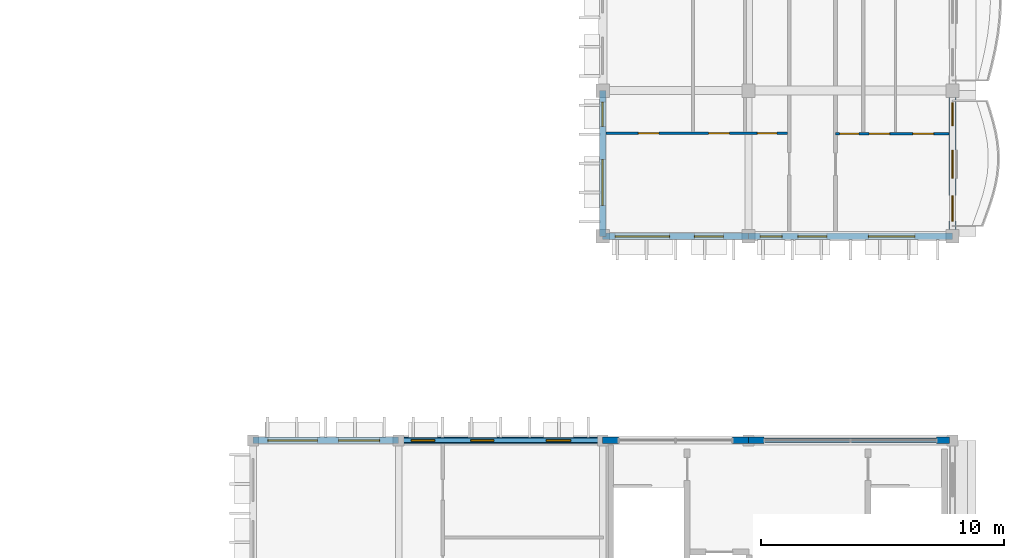
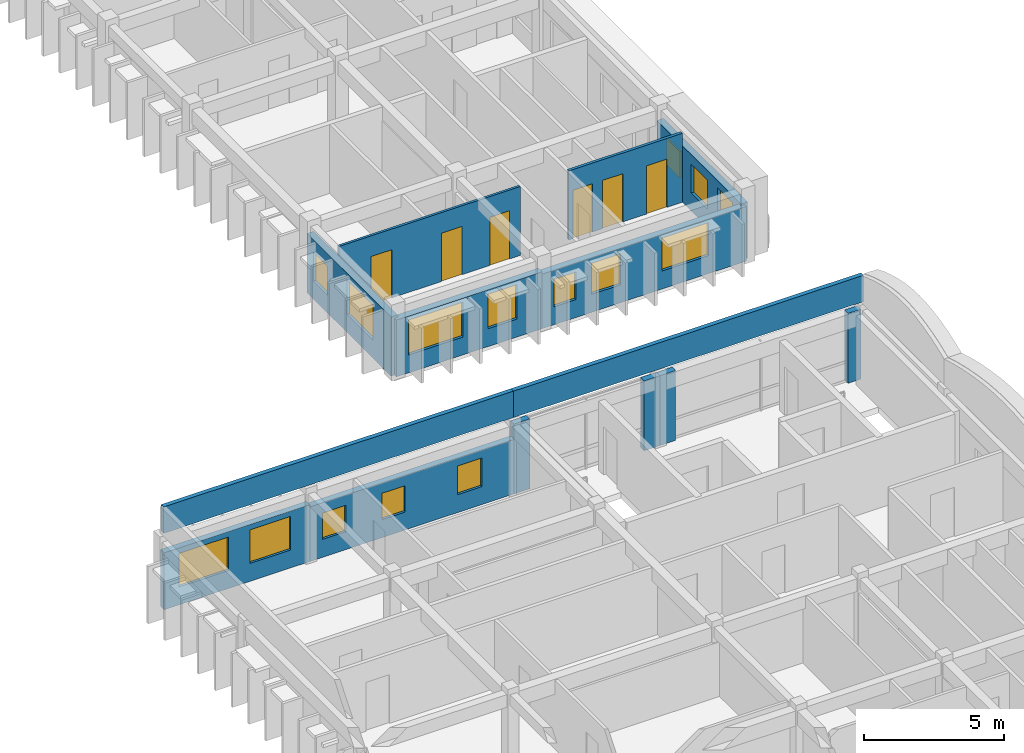
# One storey, part 30 of 59: 14 walls, 14 windows, 7 doors, 21 openings.
"""IFC4 building model written with IfcOpenShell, lengths in metres."""

from ifc_helpers import new_model, si_unit, direction, frame, frame_2d, origin, place, context, subcontext, project, spatial, rectangle, extrude, material, layer, layer_set, type_object, element, fill, save


model = new_model("IFC4")

# Units and contexts
model_context = context("Model", 3, precision=1e-05, world=origin(), true_north=direction((0.0, 1.0)))
body_context = subcontext(model_context, "Body", "Model", "MODEL_VIEW")
ifc_project = project(units=[si_unit("LENGTHUNIT", "METRE"), si_unit("AREAUNIT", "SQUARE_METRE"), si_unit("VOLUMEUNIT", "CUBIC_METRE"), si_unit("PLANEANGLEUNIT", "RADIAN"), si_unit("MASSUNIT", "GRAM", prefix="KILO"), si_unit("THERMODYNAMICTEMPERATUREUNIT", "KELVIN")], contexts=[model_context])

# Site, building, storey
site_placement = place(None, origin())
site = spatial("IfcSite", under=ifc_project, at=site_placement, CompositionType="ELEMENT")
building_placement = place(site_placement, origin())
building = spatial("IfcBuilding", under=site, at=building_placement, Name="Thalorik Housing Commons", CompositionType="ELEMENT")
storey_placement = place(building_placement, frame((0.0, 0.0, 27.89990234375)))
storey = spatial("IfcBuildingStorey", under=building, at=storey_placement, Name="L08", CompositionType="ELEMENT", Elevation=27.89990234375)

# Wall, openings, windows
ifc_material_1 = material(Name="White precast concrete C40/50", Category="concrete")
ifc_layer_1 = layer(ifc_material_1, 0.2548828125, Name="White precast concrete C40/50", Category="concrete")
ifc_layer_set_1 = layer_set([ifc_layer_1], Name="White precast concrete C40/50")
wall_type_1 = type_object("IfcWallType", Name="ARC-WAL-EXT-255", PredefinedType="STANDARD", material=ifc_layer_set_1)
wall_1_placement = place(storey_placement, frame((152.39990234375, 72.0, 0.0), z_axis=(0.0, 0.0, 1.0), x_axis=(-1.0, 0.0, 0.0)))
wall_1 = element("IfcWall", 1, at=wall_1_placement, inside=storey, type_object=wall_type_1, Name="L08 Exterior Wall WAL-EXT-L08-D-1261", PredefinedType="STANDARD", context=body_context, shape_type="SweptSolid", body=[
    extrude(rectangle(XDim=8.39990234375, YDim=0.2548828125, at=frame_2d((4.199951171875, 0.0))), origin(), (0.0, 0.0, 1.0), 2.375),
])
opening_1_placement = place(wall_1_placement, frame((1.324951171875, 0.0, 0.780029296875)))
opening_1 = element("IfcOpeningElement", 2, at=opening_1_placement, cuts=wall_1, Name="Opening W-02", PredefinedType="OPENING", context=body_context, shape_type="SweptSolid", body=[
    extrude(rectangle(XDim=1.0, YDim=1.25, at=frame_2d((0.5, 0.625))), frame((0.0, 0.137451171875, 0.0), z_axis=(0.0, -1.0, 0.0), x_axis=(1.0, 0.0, 0.0)), (0.0, 0.0, 1.0), 0.27490234375),
])
opening_2_placement = place(wall_1_placement, frame((4.479736328125, 0.0, 0.780029296875)))
opening_2 = element("IfcOpeningElement", 3, at=opening_2_placement, cuts=wall_1, Name="Opening W-43", PredefinedType="OPENING", context=body_context, shape_type="SweptSolid", body=[
    extrude(rectangle(XDim=0.949951171875, YDim=1.14990234375, at=frame_2d((0.47509765625, 0.574951171875))), frame((0.0, 0.137451171875, 0.0), z_axis=(0.0, -1.0, 0.0), x_axis=(1.0, 0.0, 0.0)), (0.0, 0.0, 1.0), 0.27490234375),
])
opening_3_placement = place(wall_1_placement, frame((6.9248046875, 0.0, 0.780029296875)))
opening_3 = element("IfcOpeningElement", 4, at=opening_3_placement, cuts=wall_1, Name="Opening W-43", PredefinedType="OPENING", context=body_context, shape_type="SweptSolid", body=[
    extrude(rectangle(XDim=0.949951171875, YDim=1.14990234375, at=frame_2d((0.47509765625, 0.574951171875))), frame((0.0, 0.137451171875, 0.0), z_axis=(0.0, -1.0, 0.0), x_axis=(1.0, 0.0, 0.0)), (0.0, 0.0, 1.0), 0.27490234375),
])
ifc_material_2 = material(Name="Anodised aluminium and solar-control low-E glass", Category="aluminium")
window_type_1 = type_object("IfcWindowType", Name="ARC-WIN-02", PartitioningType="SINGLE_PANEL", PredefinedType="WINDOW", material=ifc_material_2)
window_1_placement = place(opening_1_placement, origin())
window_1 = element("IfcWindow", 5, at=window_1_placement, inside=storey, type_object=window_type_1, Name="L08 Facade Window 2295", OverallHeight=1.25, OverallWidth=1.0, PartitioningType="SINGLE_PANEL", PredefinedType="WINDOW", context=body_context, shape_type="SweptSolid", body=[
    extrude(rectangle(XDim=1.0, YDim=1.25, at=frame_2d((0.5, 0.625))), frame((0.0, 0.030029296875, 0.0), z_axis=(0.0, -1.0, 0.0), x_axis=(1.0, 0.0, 0.0)), (0.0, 0.0, 1.0), 0.06005859375),
])
fill(opening_1, window_1)
window_type_2 = type_object("IfcWindowType", Name="ARC-WIN-43", PartitioningType="SINGLE_PANEL", PredefinedType="WINDOW", material=ifc_material_2)
window_2_placement = place(opening_2_placement, origin())
window_2 = element("IfcWindow", 6, at=window_2_placement, inside=storey, type_object=window_type_2, Name="L08 Facade Window 2296", OverallHeight=1.14990234375, OverallWidth=0.949951171875, PartitioningType="SINGLE_PANEL", PredefinedType="WINDOW", context=body_context, shape_type="SweptSolid", body=[
    extrude(rectangle(XDim=0.949951171875, YDim=1.14990234375, at=frame_2d((0.47509765625, 0.574951171875))), frame((0.0, 0.030029296875, 0.0), z_axis=(0.0, -1.0, 0.0), x_axis=(1.0, 0.0, 0.0)), (0.0, 0.0, 1.0), 0.06005859375),
])
fill(opening_2, window_2)
window_3_placement = place(opening_3_placement, origin())
window_3 = element("IfcWindow", 7, at=window_3_placement, inside=storey, type_object=window_type_2, Name="L08 Facade Window 2297", OverallHeight=1.14990234375, OverallWidth=0.949951171875, PartitioningType="SINGLE_PANEL", PredefinedType="WINDOW", context=body_context, shape_type="SweptSolid", body=[
    extrude(rectangle(XDim=0.949951171875, YDim=1.14990234375, at=frame_2d((0.47509765625, 0.574951171875))), frame((0.0, 0.030029296875, 0.0), z_axis=(0.0, -1.0, 0.0), x_axis=(1.0, 0.0, 0.0)), (0.0, 0.0, 1.0), 0.06005859375),
])
fill(opening_3, window_3)

wall_2_placement = place(storey_placement, frame((144.0, 72.0, 0.0), z_axis=(0.0, 0.0, 1.0), x_axis=(-1.0, 0.0, 0.0)))
wall_2 = element("IfcWall", 8, at=wall_2_placement, inside=storey, type_object=wall_type_1, Name="L08 Exterior Wall WAL-EXT-L08-D-1262", PredefinedType="STANDARD", context=body_context, shape_type="SweptSolid", body=[
    extrude(rectangle(XDim=6.0, YDim=0.2548828125, at=frame_2d((3.0, 0.0))), origin(), (0.0, 0.0, 1.0), 2.47509765625),
])
opening_4_placement = place(wall_2_placement, frame((0.7900390625, 0.0, 0.780029296875)))
opening_4 = element("IfcOpeningElement", 9, at=opening_4_placement, cuts=wall_2, Name="Opening W-55", PredefinedType="OPENING", context=body_context, shape_type="SweptSolid", body=[
    extrude(rectangle(XDim=1.679931640625, YDim=1.4599609375, at=frame_2d((0.83984375, 0.72998046875))), frame((0.0, 0.137451171875, 0.0), z_axis=(0.0, -1.0, 0.0), x_axis=(1.0, 0.0, 0.0)), (0.0, 0.0, 1.0), 0.27490234375),
])
opening_5_placement = place(wall_2_placement, frame((3.35009765625, 0.0, 0.780029296875)))
opening_5 = element("IfcOpeningElement", 10, at=opening_5_placement, cuts=wall_2, Name="Opening W-62", PredefinedType="OPENING", context=body_context, shape_type="SweptSolid", body=[
    extrude(rectangle(XDim=2.0400390625, YDim=1.4599609375, at=frame_2d((1.02001953125, 0.72998046875))), frame((0.0, 0.137451171875, 0.0), z_axis=(0.0, -1.0, 0.0), x_axis=(1.0, 0.0, 0.0)), (0.0, 0.0, 1.0), 0.27490234375),
])
window_type_3 = type_object("IfcWindowType", Name="ARC-WIN-55", PartitioningType="DOUBLE_PANEL_VERTICAL", PredefinedType="WINDOW", material=ifc_material_2)
window_4_placement = place(opening_4_placement, origin())
window_4 = element("IfcWindow", 11, at=window_4_placement, inside=storey, type_object=window_type_3, Name="L08 Facade Window 2298", OverallHeight=1.4599609375, OverallWidth=1.679931640625, PartitioningType="DOUBLE_PANEL_VERTICAL", PredefinedType="WINDOW", context=body_context, shape_type="SweptSolid", body=[
    extrude(rectangle(XDim=1.679931640625, YDim=1.4599609375, at=frame_2d((0.83984375, 0.72998046875))), frame((0.0, 0.030029296875, 0.0), z_axis=(0.0, -1.0, 0.0), x_axis=(1.0, 0.0, 0.0)), (0.0, 0.0, 1.0), 0.06005859375),
])
fill(opening_4, window_4)
window_type_4 = type_object("IfcWindowType", Name="ARC-WIN-62", PartitioningType="DOUBLE_PANEL_VERTICAL", PredefinedType="WINDOW", material=ifc_material_2)
window_5_placement = place(opening_5_placement, origin())
window_5 = element("IfcWindow", 12, at=window_5_placement, inside=storey, type_object=window_type_4, Name="L08 Facade Window 2299", OverallHeight=1.4599609375, OverallWidth=2.0400390625, PartitioningType="DOUBLE_PANEL_VERTICAL", PredefinedType="WINDOW", context=body_context, shape_type="SweptSolid", body=[
    extrude(rectangle(XDim=2.0400390625, YDim=1.4599609375, at=frame_2d((1.02001953125, 0.72998046875))), frame((0.0, 0.030029296875, 0.0), z_axis=(0.0, -1.0, 0.0), x_axis=(1.0, 0.0, 0.0)), (0.0, 0.0, 1.0), 0.06005859375),
])
fill(opening_5, window_5)

# Walls
wall_3_placement = place(storey_placement, frame((166.67041015625, 72.0, 0.0), z_axis=(0.0, 0.0, 1.0), x_axis=(-1.0, 0.0, 0.0)))
element("IfcWall", 13, at=wall_3_placement, inside=storey, type_object=wall_type_1, Name="L08 Exterior Wall WAL-PIERL-L08-D-1277", PredefinedType="STANDARD", context=body_context, shape_type="SweptSolid", body=[
    extrude(rectangle(XDim=0.5205078125, YDim=0.2548828125, at=frame_2d((0.26025390625, 0.0))), origin(), (0.0, 0.0, 1.0), 3.0400390625),
])
wall_4_placement = place(storey_placement, frame((159.050048828125, 72.0, 0.0), z_axis=(0.0, 0.0, 1.0), x_axis=(-1.0, 0.0, 0.0)))
element("IfcWall", 14, at=wall_4_placement, inside=storey, type_object=wall_type_1, Name="L08 Exterior Wall WAL-PIERR-L08-D-1277", PredefinedType="STANDARD", context=body_context, shape_type="SweptSolid", body=[
    extrude(rectangle(XDim=0.650146484375, YDim=0.2548828125, at=frame_2d((0.3251953125, 0.0))), origin(), (0.0, 0.0, 1.0), 3.0400390625),
])
wall_5_placement = place(storey_placement, frame((158.39990234375, 72.0, 0.0), z_axis=(0.0, 0.0, 1.0), x_axis=(-1.0, 0.0, 0.0)))
element("IfcWall", 15, at=wall_5_placement, inside=storey, type_object=wall_type_1, Name="L08 Exterior Wall WAL-PIERL-L08-D-1278", PredefinedType="STANDARD", context=body_context, shape_type="SweptSolid", body=[
    extrude(rectangle(XDim=0.64990234375, YDim=0.2548828125, at=frame_2d((0.324951171875, 0.0))), origin(), (0.0, 0.0, 1.0), 3.0400390625),
])
wall_6_placement = place(storey_placement, frame((153.050048828125, 72.0, 0.0), z_axis=(0.0, 0.0, 1.0), x_axis=(-1.0, 0.0, 0.0)))
element("IfcWall", 16, at=wall_6_placement, inside=storey, type_object=wall_type_1, Name="L08 Exterior Wall WAL-PIERR-L08-D-1278", PredefinedType="STANDARD", context=body_context, shape_type="SweptSolid", body=[
    extrude(rectangle(XDim=0.650146484375, YDim=0.2548828125, at=frame_2d((0.3251953125, 0.0))), origin(), (0.0, 0.0, 1.0), 3.0400390625),
])

# Wall, openings, windows
ifc_layer_2 = layer(ifc_material_1, 0.27490234375, Name="White precast concrete C40/50", Category="concrete")
ifc_layer_set_2 = layer_set([ifc_layer_2], Name="White precast concrete C40/50")
wall_type_2 = type_object("IfcWallType", Name="ARC-WAL-EXT-275", PredefinedType="STANDARD", material=ifc_layer_set_2)
wall_7_placement = place(storey_placement, frame((152.39990234375, 86.39990234375, 0.0), z_axis=(0.0, 0.0, 1.0), x_axis=(0.0, -1.0, 0.0)))
wall_7 = element("IfcWall", 17, at=wall_7_placement, inside=storey, type_object=wall_type_2, Name="L08 Exterior Wall WAL-EXT-L08-B-0700", PredefinedType="STANDARD", context=body_context, shape_type="SweptSolid", body=[
    extrude(rectangle(XDim=6.0, YDim=0.27490234375, at=frame_2d((3.0, 0.0))), origin(), (0.0, 0.0, 1.0), 2.5751953125),
])
opening_6_placement = place(wall_7_placement, frame((0.472412109375, 0.0, 0.780029296875)))
opening_6 = element("IfcOpeningElement", 18, at=opening_6_placement, cuts=wall_7, Name="Opening W-02", PredefinedType="OPENING", context=body_context, shape_type="SweptSolid", body=[
    extrude(rectangle(XDim=1.0, YDim=1.25, at=frame_2d((0.5, 0.625))), frame((0.0, 0.1474609375, 0.0), z_axis=(0.0, -1.0, 0.0), x_axis=(1.0, 0.0, 0.0)), (0.0, 0.0, 1.0), 0.294921875),
])
opening_7_placement = place(wall_7_placement, frame((2.842529296875, 0.0, 0.780029296875)))
opening_7 = element("IfcOpeningElement", 19, at=opening_7_placement, cuts=wall_7, Name="Opening W-59", PredefinedType="OPENING", context=body_context, shape_type="SweptSolid", body=[
    extrude(rectangle(XDim=1.8798828125, YDim=1.52001953125, at=frame_2d((0.93994140625, 0.760009765625))), frame((0.0, 0.1474609375, 0.0), z_axis=(0.0, -1.0, 0.0), x_axis=(1.0, 0.0, 0.0)), (0.0, 0.0, 1.0), 0.294921875),
])
window_6_placement = place(opening_6_placement, origin())
window_6 = element("IfcWindow", 20, at=window_6_placement, inside=storey, type_object=window_type_1, Name="L08 Facade Window 1286", OverallHeight=1.25, OverallWidth=1.0, PartitioningType="SINGLE_PANEL", PredefinedType="WINDOW", context=body_context, shape_type="SweptSolid", body=[
    extrude(rectangle(XDim=1.0, YDim=1.25, at=frame_2d((0.5, 0.625))), frame((0.0, 0.030029296875, 0.0), z_axis=(0.0, -1.0, 0.0), x_axis=(1.0, 0.0, 0.0)), (0.0, 0.0, 1.0), 0.06005859375),
])
fill(opening_6, window_6)
window_type_5 = type_object("IfcWindowType", Name="ARC-WIN-59", PartitioningType="DOUBLE_PANEL_VERTICAL", PredefinedType="WINDOW", material=ifc_material_2)
window_7_placement = place(opening_7_placement, origin())
window_7 = element("IfcWindow", 21, at=window_7_placement, inside=storey, type_object=window_type_5, Name="L08 Facade Window 1287", OverallHeight=1.52001953125, OverallWidth=1.8798828125, PartitioningType="DOUBLE_PANEL_VERTICAL", PredefinedType="WINDOW", context=body_context, shape_type="SweptSolid", body=[
    extrude(rectangle(XDim=1.8798828125, YDim=1.52001953125, at=frame_2d((0.93994140625, 0.760009765625))), frame((0.0, 0.030029296875, 0.0), z_axis=(0.0, -1.0, 0.0), x_axis=(1.0, 0.0, 0.0)), (0.0, 0.0, 1.0), 0.06005859375),
])
fill(opening_7, window_7)

wall_8_placement = place(storey_placement, frame((152.39990234375, 80.39990234375, 0.0), z_axis=(0.0, 0.0, 1.0), x_axis=(1.0, 0.0, 0.0)))
wall_8 = element("IfcWall", 22, at=wall_8_placement, inside=storey, type_object=wall_type_2, Name="L08 Exterior Wall WAL-EXT-L08-B-0701", PredefinedType="STANDARD", context=body_context, shape_type="SweptSolid", body=[
    extrude(rectangle(XDim=6.0, YDim=0.27490234375, at=frame_2d((3.0, 0.0))), origin(), (0.0, 0.0, 1.0), 2.47509765625),
])
opening_8_placement = place(wall_8_placement, frame((0.510009765625, 0.0, 0.780029296875)))
opening_8 = element("IfcOpeningElement", 23, at=opening_8_placement, cuts=wall_8, Name="Opening W-66", PredefinedType="OPENING", context=body_context, shape_type="SweptSolid", body=[
    extrude(rectangle(XDim=2.239990234375, YDim=1.52001953125, at=frame_2d((1.1201171875, 0.760009765625))), frame((0.0, 0.1474609375, 0.0), z_axis=(0.0, -1.0, 0.0), x_axis=(1.0, 0.0, 0.0)), (0.0, 0.0, 1.0), 0.294921875),
])
opening_9_placement = place(wall_8_placement, frame((3.77001953125, 0.0, 0.780029296875)))
opening_9 = element("IfcOpeningElement", 24, at=opening_9_placement, cuts=wall_8, Name="Opening W-05", PredefinedType="OPENING", context=body_context, shape_type="SweptSolid", body=[
    extrude(rectangle(XDim=1.199951171875, YDim=1.5, at=frame_2d((0.60009765625, 0.75))), frame((0.0, 0.1474609375, 0.0), z_axis=(0.0, -1.0, 0.0), x_axis=(1.0, 0.0, 0.0)), (0.0, 0.0, 1.0), 0.294921875),
])
window_type_6 = type_object("IfcWindowType", Name="ARC-WIN-05", PartitioningType="SINGLE_PANEL", PredefinedType="WINDOW", material=ifc_material_2)
window_8_placement = place(opening_9_placement, origin())
window_8 = element("IfcWindow", 25, at=window_8_placement, inside=storey, type_object=window_type_6, Name="L08 Facade Window 1289", OverallHeight=1.5, OverallWidth=1.199951171875, PartitioningType="SINGLE_PANEL", PredefinedType="WINDOW", context=body_context, shape_type="SweptSolid", body=[
    extrude(rectangle(XDim=1.199951171875, YDim=1.5, at=frame_2d((0.60009765625, 0.75))), frame((0.0, 0.030029296875, 0.0), z_axis=(0.0, -1.0, 0.0), x_axis=(1.0, 0.0, 0.0)), (0.0, 0.0, 1.0), 0.06005859375),
])
fill(opening_9, window_8)
window_type_7 = type_object("IfcWindowType", Name="ARC-WIN-66", PartitioningType="DOUBLE_PANEL_VERTICAL", PredefinedType="WINDOW", material=ifc_material_2)
window_9_placement = place(opening_8_placement, origin())
window_9 = element("IfcWindow", 26, at=window_9_placement, inside=storey, type_object=window_type_7, Name="L08 Facade Window 1288", OverallHeight=1.52001953125, OverallWidth=2.239990234375, PartitioningType="DOUBLE_PANEL_VERTICAL", PredefinedType="WINDOW", context=body_context, shape_type="SweptSolid", body=[
    extrude(rectangle(XDim=2.239990234375, YDim=1.52001953125, at=frame_2d((1.1201171875, 0.760009765625))), frame((0.0, 0.030029296875, 0.0), z_axis=(0.0, -1.0, 0.0), x_axis=(1.0, 0.0, 0.0)), (0.0, 0.0, 1.0), 0.06005859375),
])
fill(opening_8, window_9)

wall_9_placement = place(storey_placement, frame((158.39990234375, 80.39990234375, 0.0), z_axis=(0.0, 0.0, 1.0), x_axis=(1.0, 0.0, 0.0)))
wall_9 = element("IfcWall", 27, at=wall_9_placement, inside=storey, type_object=wall_type_2, Name="L08 Exterior Wall WAL-EXT-L08-B-0702", PredefinedType="STANDARD", context=body_context, shape_type="SweptSolid", body=[
    extrude(rectangle(XDim=8.400146484375, YDim=0.27490234375, at=frame_2d((4.2001953125, 0.0))), origin(), (0.0, 0.0, 1.0), 2.375),
])
opening_10_placement = place(wall_9_placement, frame((0.485107421875, 0.0, 0.780029296875)))
opening_10 = element("IfcOpeningElement", 28, at=opening_10_placement, cuts=wall_9, Name="Opening W-01", PredefinedType="OPENING", context=body_context, shape_type="SweptSolid", body=[
    extrude(rectangle(XDim=0.89990234375, YDim=1.199951171875, at=frame_2d((0.449951171875, 0.60009765625))), frame((0.0, 0.1474609375, 0.0), z_axis=(0.0, -1.0, 0.0), x_axis=(1.0, 0.0, 0.0)), (0.0, 0.0, 1.0), 0.294921875),
])
opening_11_placement = place(wall_9_placement, frame((2.030029296875, 0.0, 0.780029296875)))
opening_11 = element("IfcOpeningElement", 29, at=opening_11_placement, cuts=wall_9, Name="Opening W-04", PredefinedType="OPENING", context=body_context, shape_type="SweptSolid", body=[
    extrude(rectangle(XDim=1.199951171875, YDim=1.35009765625, at=frame_2d((0.60009765625, 0.675048828125))), frame((0.0, 0.1474609375, 0.0), z_axis=(0.0, -1.0, 0.0), x_axis=(1.0, 0.0, 0.0)), (0.0, 0.0, 1.0), 0.294921875),
])
opening_12_placement = place(wall_9_placement, frame((4.93505859375, 0.0, 0.780029296875)))
opening_12 = element("IfcOpeningElement", 30, at=opening_12_placement, cuts=wall_9, Name="Opening W-60", PredefinedType="OPENING", context=body_context, shape_type="SweptSolid", body=[
    extrude(rectangle(XDim=1.919921875, YDim=1.43994140625, at=frame_2d((0.9599609375, 0.719970703125))), frame((0.0, 0.1474609375, 0.0), z_axis=(0.0, -1.0, 0.0), x_axis=(1.0, 0.0, 0.0)), (0.0, 0.0, 1.0), 0.294921875),
])
window_type_8 = type_object("IfcWindowType", Name="ARC-WIN-01", PartitioningType="SINGLE_PANEL", PredefinedType="WINDOW", material=ifc_material_2)
window_10_placement = place(opening_10_placement, origin())
window_10 = element("IfcWindow", 31, at=window_10_placement, inside=storey, type_object=window_type_8, Name="L08 Facade Window 1290", OverallHeight=1.199951171875, OverallWidth=0.89990234375, PartitioningType="SINGLE_PANEL", PredefinedType="WINDOW", context=body_context, shape_type="SweptSolid", body=[
    extrude(rectangle(XDim=0.89990234375, YDim=1.199951171875, at=frame_2d((0.449951171875, 0.60009765625))), frame((0.0, 0.030029296875, 0.0), z_axis=(0.0, -1.0, 0.0), x_axis=(1.0, 0.0, 0.0)), (0.0, 0.0, 1.0), 0.06005859375),
])
fill(opening_10, window_10)
window_type_9 = type_object("IfcWindowType", Name="ARC-WIN-04", PartitioningType="SINGLE_PANEL", PredefinedType="WINDOW", material=ifc_material_2)
window_11_placement = place(opening_11_placement, origin())
window_11 = element("IfcWindow", 32, at=window_11_placement, inside=storey, type_object=window_type_9, Name="L08 Facade Window 1291", OverallHeight=1.35009765625, OverallWidth=1.199951171875, PartitioningType="SINGLE_PANEL", PredefinedType="WINDOW", context=body_context, shape_type="SweptSolid", body=[
    extrude(rectangle(XDim=1.199951171875, YDim=1.35009765625, at=frame_2d((0.60009765625, 0.675048828125))), frame((0.0, 0.030029296875, 0.0), z_axis=(0.0, -1.0, 0.0), x_axis=(1.0, 0.0, 0.0)), (0.0, 0.0, 1.0), 0.06005859375),
])
fill(opening_11, window_11)
window_type_10 = type_object("IfcWindowType", Name="ARC-WIN-60", PartitioningType="DOUBLE_PANEL_VERTICAL", PredefinedType="WINDOW", material=ifc_material_2)
window_12_placement = place(opening_12_placement, origin())
window_12 = element("IfcWindow", 33, at=window_12_placement, inside=storey, type_object=window_type_10, Name="L08 Facade Window 1292", OverallHeight=1.43994140625, OverallWidth=1.919921875, PartitioningType="DOUBLE_PANEL_VERTICAL", PredefinedType="WINDOW", context=body_context, shape_type="SweptSolid", body=[
    extrude(rectangle(XDim=1.919921875, YDim=1.43994140625, at=frame_2d((0.9599609375, 0.719970703125))), frame((0.0, 0.030029296875, 0.0), z_axis=(0.0, -1.0, 0.0), x_axis=(1.0, 0.0, 0.0)), (0.0, 0.0, 1.0), 0.06005859375),
])
fill(opening_12, window_12)

# Wall, openings, door, windows
wall_10_placement = place(storey_placement, frame((166.800048828125, 80.39990234375, 0.0), z_axis=(0.0, 0.0, 1.0), x_axis=(0.0, 1.0, 0.0)))
wall_10 = element("IfcWall", 34, at=wall_10_placement, inside=storey, type_object=wall_type_2, Name="L08 Exterior Wall WAL-EXT-L08-B-0703", PredefinedType="STANDARD", context=body_context, shape_type="SweptSolid", body=[
    extrude(rectangle(XDim=6.0, YDim=0.27490234375, at=frame_2d((3.0, 0.0))), origin(), (0.0, 0.0, 1.0), 2.445068359375),
])
opening_13_placement = place(wall_10_placement, frame((0.6201171875, 0.0, 0.0)))
opening_13 = element("IfcOpeningElement", 35, at=opening_13_placement, cuts=wall_10, Name="Opening ED-0232", PredefinedType="OPENING", context=body_context, shape_type="SweptSolid", body=[
    extrude(rectangle(XDim=1.050048828125, YDim=2.14990234375, at=frame_2d((0.52490234375, 1.074951171875))), frame((0.0, 0.1474609375, 0.0), z_axis=(0.0, -1.0, 0.0), x_axis=(1.0, 0.0, 0.0)), (0.0, 0.0, 1.0), 0.294921875),
])
opening_14_placement = place(wall_10_placement, frame((2.397705078125, 0.0, 0.780029296875)))
opening_14 = element("IfcOpeningElement", 36, at=opening_14_placement, cuts=wall_10, Name="Opening W-45", PredefinedType="OPENING", context=body_context, shape_type="SweptSolid", body=[
    extrude(rectangle(XDim=1.14990234375, YDim=1.25, at=frame_2d((0.574951171875, 0.625))), frame((0.0, 0.1474609375, 0.0), z_axis=(0.0, -1.0, 0.0), x_axis=(1.0, 0.0, 0.0)), (0.0, 0.0, 1.0), 0.294921875),
])
opening_15_placement = place(wall_10_placement, frame((4.542724609375, 0.0, 0.780029296875)))
opening_15 = element("IfcOpeningElement", 37, at=opening_15_placement, cuts=wall_10, Name="Opening W-43", PredefinedType="OPENING", context=body_context, shape_type="SweptSolid", body=[
    extrude(rectangle(XDim=0.949951171875, YDim=1.14990234375, at=frame_2d((0.47509765625, 0.574951171875))), frame((0.0, 0.1474609375, 0.0), z_axis=(0.0, -1.0, 0.0), x_axis=(1.0, 0.0, 0.0)), (0.0, 0.0, 1.0), 0.294921875),
])
ifc_material_3 = material(Name="Anodised aluminium and laminated safety glass", Category="aluminium")
door_type_1 = type_object("IfcDoorType", Name="ARC-DR-BAL-1050", OperationType="NOTDEFINED", PredefinedType="DOOR", material=ifc_material_3)
door_1_placement = place(opening_13_placement, frame((1.050048828125, 0.0, 0.0), z_axis=(0.0, 0.0, 1.0), x_axis=(-1.0, 0.0, 0.0)))
door_1 = element("IfcDoor", 38, at=door_1_placement, inside=storey, type_object=door_type_1, Name="L08 Block B Balcony Glazed Door", OperationType="SINGLE_SWING_LEFT", OverallHeight=2.14990234375, OverallWidth=1.050048828125, PredefinedType="DOOR", context=body_context, shape_type="SweptSolid", body=[
    extrude(rectangle(XDim=1.050048828125, YDim=2.14990234375, at=frame_2d((0.52490234375, 1.074951171875))), frame((0.0, 0.02490234375, 0.0), z_axis=(0.0, -1.0, 0.0), x_axis=(1.0, 0.0, 0.0)), (0.0, 0.0, 1.0), 0.050048828125),
])
fill(opening_13, door_1)
window_13_placement = place(opening_15_placement, origin())
window_13 = element("IfcWindow", 39, at=window_13_placement, inside=storey, type_object=window_type_2, Name="L08 Facade Window 1294", OverallHeight=1.14990234375, OverallWidth=0.949951171875, PartitioningType="SINGLE_PANEL", PredefinedType="WINDOW", context=body_context, shape_type="SweptSolid", body=[
    extrude(rectangle(XDim=0.949951171875, YDim=1.14990234375, at=frame_2d((0.47509765625, 0.574951171875))), frame((0.0, 0.030029296875, 0.0), z_axis=(0.0, -1.0, 0.0), x_axis=(1.0, 0.0, 0.0)), (0.0, 0.0, 1.0), 0.06005859375),
])
fill(opening_15, window_13)
window_type_11 = type_object("IfcWindowType", Name="ARC-WIN-45", PartitioningType="SINGLE_PANEL", PredefinedType="WINDOW", material=ifc_material_2)
window_14_placement = place(opening_14_placement, origin())
window_14 = element("IfcWindow", 40, at=window_14_placement, inside=storey, type_object=window_type_11, Name="L08 Facade Window 1293", OverallHeight=1.25, OverallWidth=1.14990234375, PartitioningType="SINGLE_PANEL", PredefinedType="WINDOW", context=body_context, shape_type="SweptSolid", body=[
    extrude(rectangle(XDim=1.14990234375, YDim=1.25, at=frame_2d((0.574951171875, 0.625))), frame((0.0, 0.030029296875, 0.0), z_axis=(0.0, -1.0, 0.0), x_axis=(1.0, 0.0, 0.0)), (0.0, 0.0, 1.0), 0.06005859375),
])
fill(opening_14, window_14)

# Walls
ifc_layer_3 = layer(ifc_material_1, 0.179931640625, Name="White precast concrete C40/50", Category="concrete")
ifc_layer_set_3 = layer_set([ifc_layer_3], Name="White precast concrete C40/50")
wall_type_3 = type_object("IfcWallType", Name="ARC-WAL-PAR-180", PredefinedType="PARAPET", material=ifc_layer_set_3)
wall_11_placement = place(storey_placement, frame((152.39990234375, 72.0, 3.300048828125), z_axis=(0.0, 0.0, 1.0), x_axis=(-1.0, 0.0, 0.0)))
element("IfcWall", 41, at=wall_11_placement, inside=storey, type_object=wall_type_3, Name="L08 Block D Roof Parapet 45", PredefinedType="PARAPET", context=body_context, shape_type="SweptSolid", body=[
    extrude(rectangle(XDim=14.39990234375, YDim=0.179931640625, at=frame_2d((7.199951171875, 0.0))), origin(), (0.0, 0.0, 1.0), 1.150146484375),
])
wall_12_placement = place(storey_placement, frame((166.800048828125, 72.0, 3.300048828125), z_axis=(0.0, 0.0, 1.0), x_axis=(-1.0, 0.0, 0.0)))
element("IfcWall", 42, at=wall_12_placement, inside=storey, type_object=wall_type_3, Name="L08 Block D Roof Parapet 57", PredefinedType="PARAPET", context=body_context, shape_type="SweptSolid", body=[
    extrude(rectangle(XDim=14.400146484375, YDim=0.179931640625, at=frame_2d((7.2001953125, 0.0))), origin(), (0.0, 0.0, 1.0), 1.150146484375),
])

# Wall, openings, doors
ifc_material_4 = material(Name="Gypsum light stud partition", Category="masonry")
ifc_layer_4 = layer(ifc_material_4, 0.10009765625, Name="Gypsum light stud partition", Category="masonry")
ifc_layer_set_4 = layer_set([ifc_layer_4], Name="Gypsum light stud partition")
wall_type_4 = type_object("IfcWallType", Name="ARC-WAL-PART-100", PredefinedType="PARTITIONING", material=ifc_layer_set_4)
wall_13_placement = place(storey_placement, frame((152.53955078125, 84.64501953125, 0.0), z_axis=(0.0, 0.0, 1.0), x_axis=(1.0, 0.0, 0.0)))
wall_13 = element("IfcWall", 43, at=wall_13_placement, inside=storey, type_object=wall_type_4, Name="L08 Unit 1 Spine Partition", PredefinedType="PARTITIONING", context=body_context, shape_type="SweptSolid", body=[
    extrude(rectangle(XDim=7.46337890625, YDim=0.10009765625, at=frame_2d((3.731689453125, 0.0))), origin(), (0.0, 0.0, 1.0), 3.0),
])
opening_16_placement = place(wall_13_placement, frame((1.32421875, 0.0, 0.0)))
opening_16 = element("IfcOpeningElement", 44, at=opening_16_placement, cuts=wall_13, Name="Opening ID-1358", PredefinedType="OPENING", context=body_context, shape_type="SweptSolid", body=[
    extrude(rectangle(XDim=0.85009765625, YDim=2.10009765625, at=frame_2d((0.425048828125, 1.050048828125))), frame((0.0, 0.06005859375, 0.0), z_axis=(0.0, -1.0, 0.0), x_axis=(1.0, 0.0, 0.0)), (0.0, 0.0, 1.0), 0.1201171875),
])
opening_17_placement = place(wall_13_placement, frame((4.219970703125, 0.0, 0.0)))
opening_17 = element("IfcOpeningElement", 45, at=opening_17_placement, cuts=wall_13, Name="Opening ID-1359", PredefinedType="OPENING", context=body_context, shape_type="SweptSolid", body=[
    extrude(rectangle(XDim=0.85009765625, YDim=2.10009765625, at=frame_2d((0.425048828125, 1.050048828125))), frame((0.0, 0.06005859375, 0.0), z_axis=(0.0, -1.0, 0.0), x_axis=(1.0, 0.0, 0.0)), (0.0, 0.0, 1.0), 0.1201171875),
])
opening_18_placement = place(wall_13_placement, frame((6.22607421875, 0.0, 0.0)))
opening_18 = element("IfcOpeningElement", 46, at=opening_18_placement, cuts=wall_13, Name="Opening ID-1360", PredefinedType="OPENING", context=body_context, shape_type="SweptSolid", body=[
    extrude(rectangle(XDim=0.800048828125, YDim=2.10009765625, at=frame_2d((0.39990234375, 1.050048828125))), frame((0.0, 0.06005859375, 0.0), z_axis=(0.0, -1.0, 0.0), x_axis=(1.0, 0.0, 0.0)), (0.0, 0.0, 1.0), 0.1201171875),
])
ifc_material_5 = material(Name="Moisture-resistant timber", Category="wood")
door_type_2 = type_object("IfcDoorType", Name="ARC-DR-INT-800", OperationType="NOTDEFINED", PredefinedType="DOOR", material=ifc_material_5)
door_2_placement = place(opening_18_placement, origin())
door_2 = element("IfcDoor", 47, at=door_2_placement, inside=storey, type_object=door_type_2, Name="L08 Flat Bathroom Door", OperationType="SINGLE_SWING_LEFT", OverallHeight=2.10009765625, OverallWidth=0.800048828125, PredefinedType="DOOR", context=body_context, shape_type="SweptSolid", body=[
    extrude(rectangle(XDim=0.800048828125, YDim=2.10009765625, at=frame_2d((0.39990234375, 1.050048828125))), frame((0.0, 0.02490234375, 0.0), z_axis=(0.0, -1.0, 0.0), x_axis=(1.0, 0.0, 0.0)), (0.0, 0.0, 1.0), 0.050048828125),
])
fill(opening_18, door_2)
ifc_material_6 = material(Name="Engineered oak timber", Category="wood")
door_type_3 = type_object("IfcDoorType", Name="ARC-DR-INT-850", OperationType="NOTDEFINED", PredefinedType="DOOR", material=ifc_material_6)
door_3_placement = place(opening_16_placement, origin())
door_3 = element("IfcDoor", 48, at=door_3_placement, inside=storey, type_object=door_type_3, Name="L08 Double Bedroom Door", OperationType="SINGLE_SWING_LEFT", OverallHeight=2.10009765625, OverallWidth=0.85009765625, PredefinedType="DOOR", context=body_context, shape_type="SweptSolid", body=[
    extrude(rectangle(XDim=0.85009765625, YDim=2.10009765625, at=frame_2d((0.425048828125, 1.050048828125))), frame((0.0, 0.02490234375, 0.0), z_axis=(0.0, -1.0, 0.0), x_axis=(1.0, 0.0, 0.0)), (0.0, 0.0, 1.0), 0.050048828125),
])
fill(opening_16, door_3)
door_4_placement = place(opening_17_placement, origin())
door_4 = element("IfcDoor", 49, at=door_4_placement, inside=storey, type_object=door_type_3, Name="L08 Galley Kitchen Door", OperationType="SINGLE_SWING_RIGHT", OverallHeight=2.10009765625, OverallWidth=0.85009765625, PredefinedType="DOOR", context=body_context, shape_type="SweptSolid", body=[
    extrude(rectangle(XDim=0.85009765625, YDim=2.10009765625, at=frame_2d((0.425048828125, 1.050048828125))), frame((0.0, 0.02490234375, 0.0), z_axis=(0.0, -1.0, 0.0), x_axis=(1.0, 0.0, 0.0)), (0.0, 0.0, 1.0), 0.050048828125),
])
fill(opening_17, door_4)

ifc_material_7 = material(Name="Gypsum moisture-resistant partition", Category="masonry")
ifc_layer_5 = layer(ifc_material_7, 0.114990234375, Name="Gypsum moisture-resistant partition", Category="masonry")
ifc_layer_set_5 = layer_set([ifc_layer_5], Name="Gypsum moisture-resistant partition")
wall_type_5 = type_object("IfcWallType", Name="ARC-WAL-PART-115", PredefinedType="PARTITIONING", material=ifc_layer_set_5)
wall_14_placement = place(storey_placement, frame((161.97998046875, 84.62548828125, 0.0), z_axis=(0.0, 0.0, 1.0), x_axis=(1.0, 0.0, 0.0)))
wall_14 = element("IfcWall", 50, at=wall_14_placement, inside=storey, type_object=wall_type_5, Name="L08 Unit 1B Spine Partition", PredefinedType="PARTITIONING", context=body_context, shape_type="SweptSolid", body=[
    extrude(rectangle(XDim=4.680419921875, YDim=0.114990234375, at=frame_2d((2.34033203125, 0.0))), origin(), (0.0, 0.0, 1.0), 3.0),
])
opening_19_placement = place(wall_14_placement, frame((0.171142578125, 0.0, 0.0)))
opening_19 = element("IfcOpeningElement", 51, at=opening_19_placement, cuts=wall_14, Name="Opening ID-1361", PredefinedType="OPENING", context=body_context, shape_type="SweptSolid", body=[
    extrude(rectangle(XDim=0.800048828125, YDim=2.10009765625, at=frame_2d((0.39990234375, 1.050048828125))), frame((0.0, 0.0673828125, 0.0), z_axis=(0.0, -1.0, 0.0), x_axis=(1.0, 0.0, 0.0)), (0.0, 0.0, 1.0), 0.135009765625),
])
opening_20_placement = place(wall_14_placement, frame((1.3837890625, 0.0, 0.0)))
opening_20 = element("IfcOpeningElement", 52, at=opening_20_placement, cuts=wall_14, Name="Opening ID-1362", PredefinedType="OPENING", context=body_context, shape_type="SweptSolid", body=[
    extrude(rectangle(XDim=0.85009765625, YDim=2.10009765625, at=frame_2d((0.425048828125, 1.050048828125))), frame((0.0, 0.0673828125, 0.0), z_axis=(0.0, -1.0, 0.0), x_axis=(1.0, 0.0, 0.0)), (0.0, 0.0, 1.0), 0.135009765625),
])
opening_21_placement = place(wall_14_placement, frame((3.192626953125, 0.0, 0.0)))
opening_21 = element("IfcOpeningElement", 53, at=opening_21_placement, cuts=wall_14, Name="Opening ID-1363", PredefinedType="OPENING", context=body_context, shape_type="SweptSolid", body=[
    extrude(rectangle(XDim=0.85009765625, YDim=2.10009765625, at=frame_2d((0.425048828125, 1.050048828125))), frame((0.0, 0.0673828125, 0.0), z_axis=(0.0, -1.0, 0.0), x_axis=(1.0, 0.0, 0.0)), (0.0, 0.0, 1.0), 0.135009765625),
])
door_5_placement = place(opening_19_placement, origin())
door_5 = element("IfcDoor", 54, at=door_5_placement, inside=storey, type_object=door_type_2, Name="L08 Accessible Bathroom Door", OperationType="SINGLE_SWING_RIGHT", OverallHeight=2.10009765625, OverallWidth=0.800048828125, PredefinedType="DOOR", context=body_context, shape_type="SweptSolid", body=[
    extrude(rectangle(XDim=0.800048828125, YDim=2.10009765625, at=frame_2d((0.39990234375, 1.050048828125))), frame((0.0, 0.02490234375, 0.0), z_axis=(0.0, -1.0, 0.0), x_axis=(1.0, 0.0, 0.0)), (0.0, 0.0, 1.0), 0.050048828125),
])
fill(opening_19, door_5)
door_6_placement = place(opening_20_placement, origin())
door_6 = element("IfcDoor", 55, at=door_6_placement, inside=storey, type_object=door_type_3, Name="L08 Galley Kitchen Door", OperationType="SINGLE_SWING_LEFT", OverallHeight=2.10009765625, OverallWidth=0.85009765625, PredefinedType="DOOR", context=body_context, shape_type="SweptSolid", body=[
    extrude(rectangle(XDim=0.85009765625, YDim=2.10009765625, at=frame_2d((0.425048828125, 1.050048828125))), frame((0.0, 0.02490234375, 0.0), z_axis=(0.0, -1.0, 0.0), x_axis=(1.0, 0.0, 0.0)), (0.0, 0.0, 1.0), 0.050048828125),
])
fill(opening_20, door_6)
door_7_placement = place(opening_21_placement, origin())
door_7 = element("IfcDoor", 56, at=door_7_placement, inside=storey, type_object=door_type_3, Name="L08 Double Bedroom Door", OperationType="SINGLE_SWING_RIGHT", OverallHeight=2.10009765625, OverallWidth=0.85009765625, PredefinedType="DOOR", context=body_context, shape_type="SweptSolid", body=[
    extrude(rectangle(XDim=0.85009765625, YDim=2.10009765625, at=frame_2d((0.425048828125, 1.050048828125))), frame((0.0, 0.02490234375, 0.0), z_axis=(0.0, -1.0, 0.0), x_axis=(1.0, 0.0, 0.0)), (0.0, 0.0, 1.0), 0.050048828125),
])
fill(opening_21, door_7)

save(model, "model.ifc")
